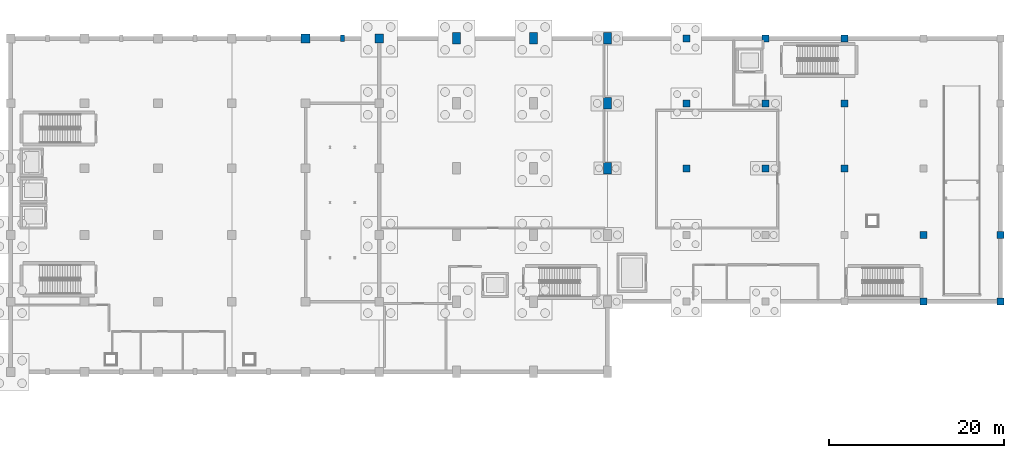
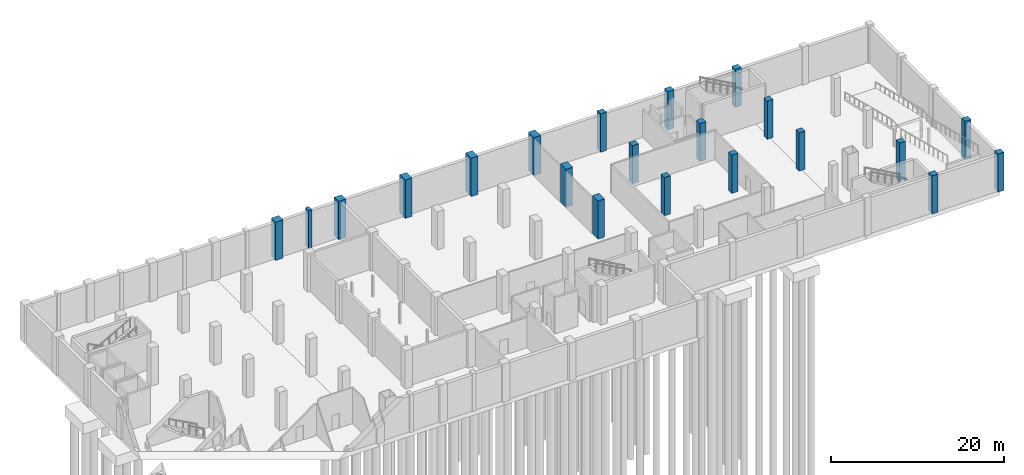
# One storey, part 7 of 20: 21 columns.
"""IFC4 building model written with IfcOpenShell, lengths in metres."""

from ifc_helpers import new_model, si_unit, direction, frame, origin, origin_2d, place, context, subcontext, project, spatial, rectangle, extrude, material, material_profile, profile_set, type_object, element, save


model = new_model("IFC4")

# Units and contexts
model_context = context("Model", 3, precision=1e-05, world=origin(), true_north=direction((0.0, 1.0)))
body_context = subcontext(model_context, "Body", "Model", "MODEL_VIEW")
ifc_project = project(units=[si_unit("LENGTHUNIT", "METRE"), si_unit("AREAUNIT", "SQUARE_METRE"), si_unit("VOLUMEUNIT", "CUBIC_METRE"), si_unit("PLANEANGLEUNIT", "RADIAN"), si_unit("MASSUNIT", "GRAM", prefix="KILO")], contexts=[model_context])

# Site, building, storey
site_placement = place(None, origin())
site = spatial("IfcSite", under=ifc_project, at=site_placement, CompositionType="ELEMENT")
building_placement = place(site_placement, origin())
building = spatial("IfcBuilding", under=site, at=building_placement, Name="Shengluoqiao Park Theatre", CompositionType="ELEMENT")
storey_placement = place(building_placement, frame((0.0, 0.0, -5.39990234375)))
storey = spatial("IfcBuildingStorey", under=building, at=storey_placement, Name="B1", CompositionType="ELEMENT", Elevation=-5.39990234375)

# Columns
ifc_material = material(Name="Concrete C50", Category="concrete")
ifc_material_profile_1 = material_profile(ifc_material, rectangle(XDim=0.449951171875, YDim=0.75, at=origin_2d()), Name="RC PILASTER 450x750")
ifc_profile_set_1 = profile_set([ifc_material_profile_1], Name="Concrete C50")
column_type_1 = type_object("IfcColumnType", Name="STR-COL-C-PIL4575", PredefinedType="PILASTER", material=ifc_profile_set_1)
column_placement = place(storey_placement, frame((82.199951171875, 114.0, 0.0), z_axis=(0.0, 0.0, 1.0), x_axis=(1.0, 0.0, 0.0)))
element("IfcColumn", 1, at=column_placement, inside=storey, type_object=column_type_1, Name="B1 Column 0410", PredefinedType="PILASTER", context=body_context, shape_type="SweptSolid", body=[
    extrude(rectangle(XDim=0.449951171875, YDim=0.75, at=origin_2d()), origin(), (0.0, 0.0, 1.0), 5.39990234375),
])
ifc_material_profile_2 = material_profile(ifc_material, rectangle(XDim=1.0, YDim=1.0, at=origin_2d()), Name="RC 1000x1000")
ifc_profile_set_2 = profile_set([ifc_material_profile_2], Name="Concrete C50")
column_type_2 = type_object("IfcColumnType", Name="STR-COL-C-RC1000", PredefinedType="COLUMN", material=ifc_profile_set_2)
for number, where, z_axis, x_axis, name in (
    (2, (78.0, 114.0, 0.0), (0.0, 0.0, 1.0), (1.0, 0.0, 0.0), "B1 Column 0400"),
    (3, (86.39990234375, 114.0, 0.0), (0.0, 0.0, 1.0), (1.0, 0.0, 0.0), "B1 Column 0450"),
):
    element("IfcColumn", number, at=place(storey_placement, frame(where, z_axis=z_axis, x_axis=x_axis)), inside=storey, type_object=column_type_2, Name=name, PredefinedType="COLUMN", context=body_context, shape_type="SweptSolid", body=[
        extrude(rectangle(XDim=1.0, YDim=1.0, at=origin_2d()), origin(), (0.0, 0.0, 1.0), 5.39990234375),
    ])
ifc_material_profile_3 = material_profile(ifc_material, rectangle(XDim=0.800048828125, YDim=0.800048828125, at=origin_2d()), Name="RC 800x800")
ifc_profile_set_3 = profile_set([ifc_material_profile_3], Name="Concrete C50")
column_type_3 = type_object("IfcColumnType", Name="STR-COL-C-RC800", PredefinedType="COLUMN", material=ifc_profile_set_3)
for number, where, z_axis, x_axis, name in (
    (4, (121.39990234375, 99.199951171875, 0.0), (0.0, 0.0, 1.0), (1.0, 0.0, 0.0), "B1 Column 0607"),
    (5, (121.39990234375, 106.60009765625, 0.0), (0.0, 0.0, 1.0), (1.0, 0.0, 0.0), "B1 Column 0611"),
    (6, (121.39990234375, 114.0, 0.0), (0.0, 0.0, 1.0), (1.0, 0.0, 0.0), "B1 Column 0618"),
    (7, (130.39990234375, 99.199951171875, 0.0), (0.0, 0.0, 1.0), (1.0, 0.0, 0.0), "B1 Column 0649"),
    (8, (130.39990234375, 106.60009765625, 0.0), (0.0, 0.0, 1.0), (1.0, 0.0, 0.0), "B1 Column 0656"),
    (9, (130.39990234375, 114.0, 0.0), (0.0, 0.0, 1.0), (1.0, 0.0, 0.0), "B1 Column 0663"),
    (10, (139.39990234375, 99.199951171875, 0.0), (0.0, 0.0, 1.0), (1.0, 0.0, 0.0), "B1 Column 0694"),
    (11, (139.39990234375, 106.60009765625, 0.0), (0.0, 0.0, 1.0), (1.0, 0.0, 0.0), "B1 Column 0701"),
    (12, (139.39990234375, 114.0, 0.0), (0.0, 0.0, 1.0), (1.0, 0.0, 0.0), "B1 Column 0708"),
    (13, (148.39990234375, 84.0, 0.0), (0.0, 0.0, 1.0), (1.0, 0.0, 0.0), "B1 Column 0737"),
    (14, (148.39990234375, 91.60009765625, 0.0), (0.0, 0.0, 1.0), (1.0, 0.0, 0.0), "B1 Column 0744"),
    (15, (157.199951171875, 84.0, 0.0), (0.0, 0.0, 1.0), (1.0, 0.0, 0.0), "B1 Column 0802"),
    (16, (157.199951171875, 91.60009765625, 0.0), (0.0, 0.0, 1.0), (1.0, 0.0, 0.0), "B1 Column 0808"),
):
    element("IfcColumn", number, at=place(storey_placement, frame(where, z_axis=z_axis, x_axis=x_axis)), inside=storey, type_object=column_type_3, Name=name, PredefinedType="COLUMN", context=body_context, shape_type="SweptSolid", body=[
        extrude(rectangle(XDim=0.800048828125, YDim=0.800048828125, at=origin_2d()), origin(), (0.0, 0.0, 1.0), 5.39990234375),
    ])
ifc_material_profile_4 = material_profile(ifc_material, rectangle(XDim=0.89990234375, YDim=1.300048828125, at=origin_2d()), Name="RC 900x1300")
ifc_profile_set_4 = profile_set([ifc_material_profile_4], Name="Concrete C50")
column_type_4 = type_object("IfcColumnType", Name="STR-COL-C-RC9013", PredefinedType="COLUMN", material=ifc_profile_set_4)
for number, where, z_axis, x_axis, name in (
    (17, (95.199951171875, 114.0, 0.0), (0.0, 0.0, 1.0), (1.0, 0.0, 0.0), "B1 Column 0484"),
    (18, (104.0, 114.0, 0.0), (0.0, 0.0, 1.0), (1.0, 0.0, 0.0), "B1 Column 0530"),
    (19, (112.39990234375, 99.199951171875, 0.0), (0.0, 0.0, 1.0), (1.0, 0.0, 0.0), "B1 Column 0562"),
    (20, (112.39990234375, 106.60009765625, 0.0), (0.0, 0.0, 1.0), (1.0, 0.0, 0.0), "B1 Column 0569"),
    (21, (112.39990234375, 114.0, 0.0), (0.0, 0.0, 1.0), (1.0, 0.0, 0.0), "B1 Column 0576"),
):
    element("IfcColumn", number, at=place(storey_placement, frame(where, z_axis=z_axis, x_axis=x_axis)), inside=storey, type_object=column_type_4, Name=name, PredefinedType="COLUMN", context=body_context, shape_type="SweptSolid", body=[
        extrude(rectangle(XDim=0.89990234375, YDim=1.300048828125, at=origin_2d()), origin(), (0.0, 0.0, 1.0), 5.39990234375),
    ])

save(model, "model.ifc")
